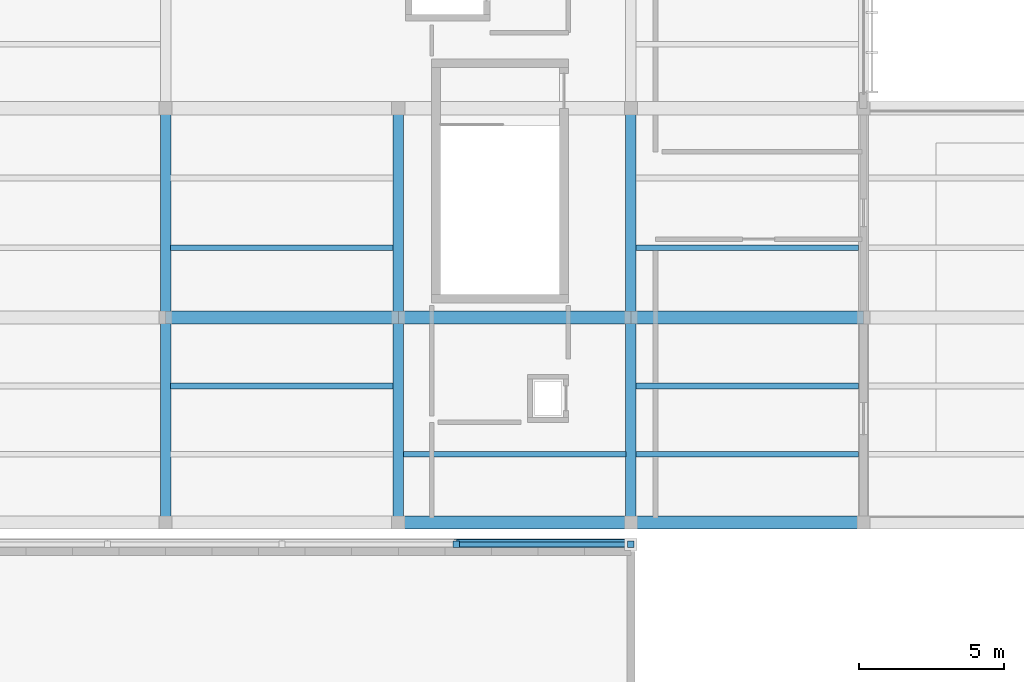
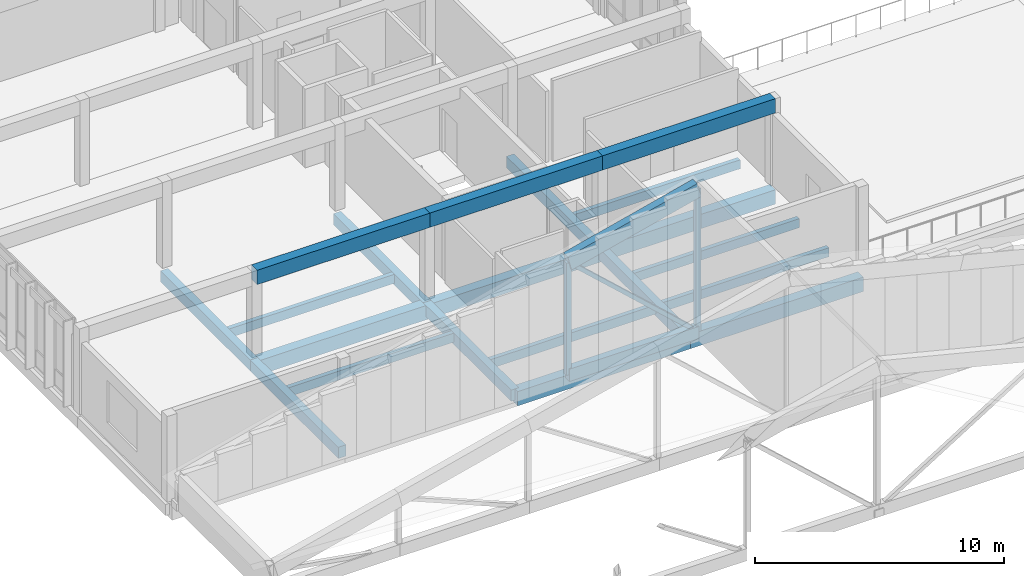
# One storey, part 8 of 107: 20 beams, 5 members.
"""IFC4 building model written with IfcOpenShell, lengths in metres."""

from ifc_helpers import new_model, si_unit, direction, frame, origin, origin_2d, place, context, subcontext, project, spatial, rectangle, extrude, material, material_profile, profile_set, type_object, element, save


model = new_model("IFC4")

# Units and contexts
model_context = context("Model", 3, precision=1e-05, world=origin(), true_north=direction((0.0, 1.0)))
body_context = subcontext(model_context, "Body", "Model", "MODEL_VIEW")
ifc_project = project(units=[si_unit("LENGTHUNIT", "METRE"), si_unit("AREAUNIT", "SQUARE_METRE"), si_unit("VOLUMEUNIT", "CUBIC_METRE"), si_unit("PLANEANGLEUNIT", "RADIAN"), si_unit("MASSUNIT", "GRAM", prefix="KILO")], contexts=[model_context])

# Site, building, storey
site_placement = place(None, origin())
site = spatial("IfcSite", under=ifc_project, at=site_placement, CompositionType="ELEMENT")
building_placement = place(site_placement, origin())
building = spatial("IfcBuilding", under=site, at=building_placement, Name="Chiffa Square Polytechnic", CompositionType="ELEMENT")
storey_placement = place(building_placement, frame((0.0, 0.0, 13.800048828125)))
storey = spatial("IfcBuildingStorey", under=building, at=storey_placement, Name="L03", CompositionType="ELEMENT", Elevation=13.800048828125)

# Beams
ifc_material_1 = material(Name="Concrete C35/45", Category="concrete")
ifc_material_profile_1 = material_profile(ifc_material_1, rectangle(XDim=0.35009765625, YDim=0.550048828125, at=origin_2d()), Name="RC 350x550")
ifc_profile_set_1 = profile_set([ifc_material_profile_1], Name="Concrete C35/45")
beam_type_1 = type_object("IfcBeamType", Name="BM-RC-350X550", PredefinedType="BEAM", material=ifc_profile_set_1)
beam_1_placement = place(storey_placement, frame((8.0, 36.75, -0.53515625), z_axis=(0.0, 1.0, 0.0), x_axis=(-1.0, 0.0, 0.0)))
element("IfcBeam", 1, at=beam_1_placement, inside=storey, type_object=beam_type_1, Name="Primary floor girder BM-V6-L03-Y-0080-0368", PredefinedType="BEAM", context=body_context, shape_type="SweptSolid", body=[
    extrude(rectangle(XDim=0.35009765625, YDim=0.550048828125, at=origin_2d()), origin(), (0.0, 0.0, 1.0), 7.050048828125),
])
beam_2_placement = place(storey_placement, frame((8.0, 43.800048828125, -0.53515625), z_axis=(0.0, 1.0, 0.0), x_axis=(-1.0, 0.0, 0.0)))
element("IfcBeam", 2, at=beam_2_placement, inside=storey, type_object=beam_type_1, Name="Primary floor girder BM-V6-L03-Y-0080-0438", PredefinedType="BEAM", context=body_context, shape_type="SweptSolid", body=[
    extrude(rectangle(XDim=0.35009765625, YDim=0.550048828125, at=origin_2d()), origin(), (0.0, 0.0, 1.0), 7.199951171875),
])
beam_3_placement = place(storey_placement, frame((16.0, 36.75, -0.53515625), z_axis=(0.0, 1.0, 0.0), x_axis=(-1.0, 0.0, 0.0)))
element("IfcBeam", 3, at=beam_3_placement, inside=storey, type_object=beam_type_1, Name="Primary floor girder BM-V6-L03-Y-0160-0368", PredefinedType="BEAM", context=body_context, shape_type="SweptSolid", body=[
    extrude(rectangle(XDim=0.35009765625, YDim=0.550048828125, at=origin_2d()), origin(), (0.0, 0.0, 1.0), 7.050048828125),
])
beam_4_placement = place(storey_placement, frame((16.0, 43.800048828125, -0.53515625), z_axis=(0.0, 1.0, 0.0), x_axis=(-1.0, 0.0, 0.0)))
element("IfcBeam", 4, at=beam_4_placement, inside=storey, type_object=beam_type_1, Name="Primary floor girder BM-V6-L03-Y-0160-0438", PredefinedType="BEAM", context=body_context, shape_type="SweptSolid", body=[
    extrude(rectangle(XDim=0.35009765625, YDim=0.550048828125, at=origin_2d()), origin(), (0.0, 0.0, 1.0), 7.199951171875),
])
beam_5_placement = place(storey_placement, frame((24.0, 36.75, -0.53515625), z_axis=(0.0, 1.0, 0.0), x_axis=(-1.0, 0.0, 0.0)))
element("IfcBeam", 5, at=beam_5_placement, inside=storey, type_object=beam_type_1, Name="Primary floor girder BM-V6-L03-Y-0240-0368", PredefinedType="BEAM", context=body_context, shape_type="SweptSolid", body=[
    extrude(rectangle(XDim=0.35009765625, YDim=0.550048828125, at=origin_2d()), origin(), (0.0, 0.0, 1.0), 7.050048828125),
])
beam_6_placement = place(storey_placement, frame((24.0, 43.800048828125, -0.53515625), z_axis=(0.0, 1.0, 0.0), x_axis=(-1.0, 0.0, 0.0)))
element("IfcBeam", 6, at=beam_6_placement, inside=storey, type_object=beam_type_1, Name="Primary floor girder BM-V6-L03-Y-0240-0438", PredefinedType="BEAM", context=body_context, shape_type="SweptSolid", body=[
    extrude(rectangle(XDim=0.35009765625, YDim=0.550048828125, at=origin_2d()), origin(), (0.0, 0.0, 1.0), 7.199951171875),
])
ifc_material_profile_2 = material_profile(ifc_material_1, rectangle(XDim=0.449951171875, YDim=0.699951171875, at=origin_2d()), Name="RC 450x700")
ifc_profile_set_2 = profile_set([ifc_material_profile_2], Name="Concrete C35/45")
beam_type_2 = type_object("IfcBeamType", Name="BM-RC-450X700", PredefinedType="BEAM", material=ifc_profile_set_2)
for number, where, z_axis, x_axis, name in (
    (7, (16.0, 36.75, -0.610107421875), (1.0, 0.0, 0.0), (0.0, 1.0, 0.0), "Primary floor girder BM-V6-L03-X-0160-0368"),
    (8, (24.0, 36.75, -0.610107421875), (1.0, 0.0, 0.0), (0.0, 1.0, 0.0), "Primary floor girder BM-V6-L03-X-0240-0368"),
    (9, (8.0, 43.800048828125, -0.610107421875), (1.0, 0.0, 0.0), (0.0, 1.0, 0.0), "Primary floor girder BM-V6-L03-X-0080-0438"),
    (10, (16.0, 43.800048828125, -0.610107421875), (1.0, 0.0, 0.0), (0.0, 1.0, 0.0), "Primary floor girder BM-V6-L03-X-0160-0438"),
    (11, (24.0, 43.800048828125, -0.610107421875), (1.0, 0.0, 0.0), (0.0, 1.0, 0.0), "Primary floor girder BM-V6-L03-X-0240-0438"),
    (12, (8.0, 43.800048828125, 3.849853515625), (1.0, 0.0, 0.0), (0.0, 1.0, 0.0), "Sawtooth monitor sill beam BM-V6-SAWTIE-Y1-2"),
    (13, (16.0, 43.800048828125, 3.849853515625), (1.0, 0.0, 0.0), (0.0, 1.0, 0.0), "Sawtooth monitor sill beam BM-V6-SAWTIE-Y1-3"),
    (14, (24.0, 43.800048828125, 3.849853515625), (1.0, 0.0, 0.0), (0.0, 1.0, 0.0), "Sawtooth monitor sill beam BM-V6-SAWTIE-Y1-4"),
):
    element("IfcBeam", number, at=place(storey_placement, frame(where, z_axis=z_axis, x_axis=x_axis)), inside=storey, type_object=beam_type_2, Name=name, PredefinedType="BEAM", context=body_context, shape_type="SweptSolid", body=[
        extrude(rectangle(XDim=0.449951171875, YDim=0.699951171875, at=origin_2d()), origin(), (0.0, 0.0, 1.0), 8.0),
    ])
ifc_material_2 = material(Name="Glulam GL28h", Category="wood")
ifc_material_profile_3 = material_profile(ifc_material_2, rectangle(XDim=0.199951171875, YDim=0.43994140625, at=origin_2d()), Name="GL28h 200x440")
ifc_profile_set_3 = profile_set([ifc_material_profile_3], Name="Glulam GL28h")
beam_type_3 = type_object("IfcBeamType", Name="JST-GL-200X440", PredefinedType="JOIST", material=ifc_profile_set_3)
for number, where, z_axis, x_axis, name in (
    (15, (8.173095703125, 41.449951171875, -0.47998046875), (1.0, 0.0, 0.0), (0.0, 1.0, 0.0), "Secondary floor joist JST-V6-L03-0080-0414"),
    (16, (8.173095703125, 46.199951171875, -0.47998046875), (1.0, 0.0, 0.0), (0.0, 1.0, 0.0), "Secondary floor joist JST-V6-L03-0080-0462"),
    (17, (16.173095703125, 39.10009765625, -0.47998046875), (1.0, 0.0, 0.0), (0.0, 1.0, 0.0), "Secondary floor joist JST-V6-L03-0160-0391"),
    (18, (24.173095703125, 39.10009765625, -0.47998046875), (1.0, 0.0, 0.0), (0.0, 1.0, 0.0), "Secondary floor joist JST-V6-L03-0240-0391"),
    (19, (24.173095703125, 41.449951171875, -0.47998046875), (1.0, 0.0, 0.0), (0.0, 1.0, 0.0), "Secondary floor joist JST-V6-L03-0240-0414"),
    (20, (24.173095703125, 46.199951171875, -0.47998046875), (1.0, 0.0, 0.0), (0.0, 1.0, 0.0), "Secondary floor joist JST-V6-L03-0240-0462"),
):
    element("IfcBeam", number, at=place(storey_placement, frame(where, z_axis=z_axis, x_axis=x_axis)), inside=storey, type_object=beam_type_3, Name=name, PredefinedType="JOIST", context=body_context, shape_type="SweptSolid", body=[
        extrude(rectangle(XDim=0.199951171875, YDim=0.43994140625, at=origin_2d()), origin(), (0.0, 0.0, 1.0), 7.65380859375),
    ])

# Members
ifc_material_3 = material(Name="Glulam GL32c", Category="wood")
ifc_material_profile_4 = material_profile(ifc_material_3, rectangle(XDim=0.320068359375, YDim=0.60009765625, at=origin_2d()), Name="GL32c 320x600")
ifc_profile_set_4 = profile_set([ifc_material_profile_4], Name="Glulam GL32c")
member_type_1 = type_object("IfcMemberType", Name="MEM-CHORD-GL320", PredefinedType="CHORD", material=ifc_profile_set_4)
member_1_placement = place(storey_placement, frame((18.0, 36.0, 0.25), z_axis=(1.0, 0.0, 0.0), x_axis=(0.0, 1.0, 0.0)))
element("IfcMember", 21, at=member_1_placement, inside=storey, type_object=member_type_1, Name="Lecture glulam truss bottom chord TCB-V3-W06-4", PredefinedType="CHORD", context=body_context, shape_type="SweptSolid", body=[
    extrude(rectangle(XDim=0.320068359375, YDim=0.60009765625, at=origin_2d()), origin(), (0.0, 0.0, 1.0), 6.0),
])
ifc_material_profile_5 = material_profile(ifc_material_3, rectangle(XDim=0.360107421875, YDim=0.719970703125, at=origin_2d()), Name="GL32c 360x720")
ifc_profile_set_5 = profile_set([ifc_material_profile_5], Name="Glulam GL32c")
member_type_2 = type_object("IfcMemberType", Name="MEM-CHORD-GL360", PredefinedType="CHORD", material=ifc_profile_set_5)
member_2_placement = place(storey_placement, frame((18.0, 36.0, 5.738037109375), z_axis=(0.970300220947, 0.0, 0.241903867747), x_axis=(0.0, 1.0, 0.0)))
element("IfcMember", 22, at=member_2_placement, inside=storey, type_object=member_type_2, Name="Lecture glulam truss top chord TCT-V3-W06-4", PredefinedType="CHORD", context=body_context, shape_type="SweptSolid", body=[
    extrude(rectangle(XDim=0.360107421875, YDim=0.719970703125, at=origin_2d()), origin(), (0.0, 0.0, 1.0), 6.18359375),
])
ifc_material_profile_6 = material_profile(ifc_material_2, rectangle(XDim=0.179931640625, YDim=0.179931640625, at=origin_2d()), Name="GL28h 180x180")
ifc_profile_set_6 = profile_set([ifc_material_profile_6], Name="Glulam GL28h")
member_type_3 = type_object("IfcMemberType", Name="MEM-WEB-GL180", PredefinedType="MEMBER", material=ifc_profile_set_6)
member_3_placement = place(storey_placement, frame((18.0, 36.0, 5.738037109375), z_axis=(0.737886535489, 0.0, -0.674924781545), x_axis=(0.0, 1.0, 0.0)))
element("IfcMember", 23, at=member_3_placement, inside=storey, type_object=member_type_3, Name="Lecture glulam truss diagonal TWD-V3-W06-4", PredefinedType="MEMBER", context=body_context, shape_type="SweptSolid", body=[
    extrude(rectangle(XDim=0.179931640625, YDim=0.179931640625, at=origin_2d()), origin(), (0.0, 0.0, 1.0), 8.13134765625),
])
ifc_material_profile_7 = material_profile(ifc_material_2, rectangle(XDim=0.219970703125, YDim=0.219970703125, at=origin_2d()), Name="GL28h 220x220")
ifc_profile_set_7 = profile_set([ifc_material_profile_7], Name="Glulam GL28h")
member_type_4 = type_object("IfcMemberType", Name="MEM-WEB-GL220", PredefinedType="MEMBER", material=ifc_profile_set_7)
member_4_placement = place(storey_placement, frame((18.0, 36.0, 0.25), z_axis=(0.0, 0.0, 1.0), x_axis=(1.0, 0.0, 0.0)))
element("IfcMember", 24, at=member_4_placement, inside=storey, type_object=member_type_4, Name="Lecture glulam truss vertical TWV-V3-W06-4", PredefinedType="MEMBER", context=body_context, shape_type="SweptSolid", body=[
    extrude(rectangle(XDim=0.219970703125, YDim=0.219970703125, at=origin_2d()), origin(), (0.0, 0.0, 1.0), 5.488037109375),
])
member_5_placement = place(storey_placement, frame((24.0, 36.0, 0.25), z_axis=(0.0, 0.0, 1.0), x_axis=(1.0, 0.0, 0.0)))
element("IfcMember", 25, at=member_5_placement, inside=storey, type_object=member_type_4, Name="Lecture glulam truss vertical TWV-V3-W06-5", PredefinedType="MEMBER", context=body_context, shape_type="SweptSolid", body=[
    extrude(rectangle(XDim=0.219970703125, YDim=0.219970703125, at=origin_2d()), origin(), (0.0, 0.0, 1.0), 6.98388671875),
])

save(model, "model.ifc")
